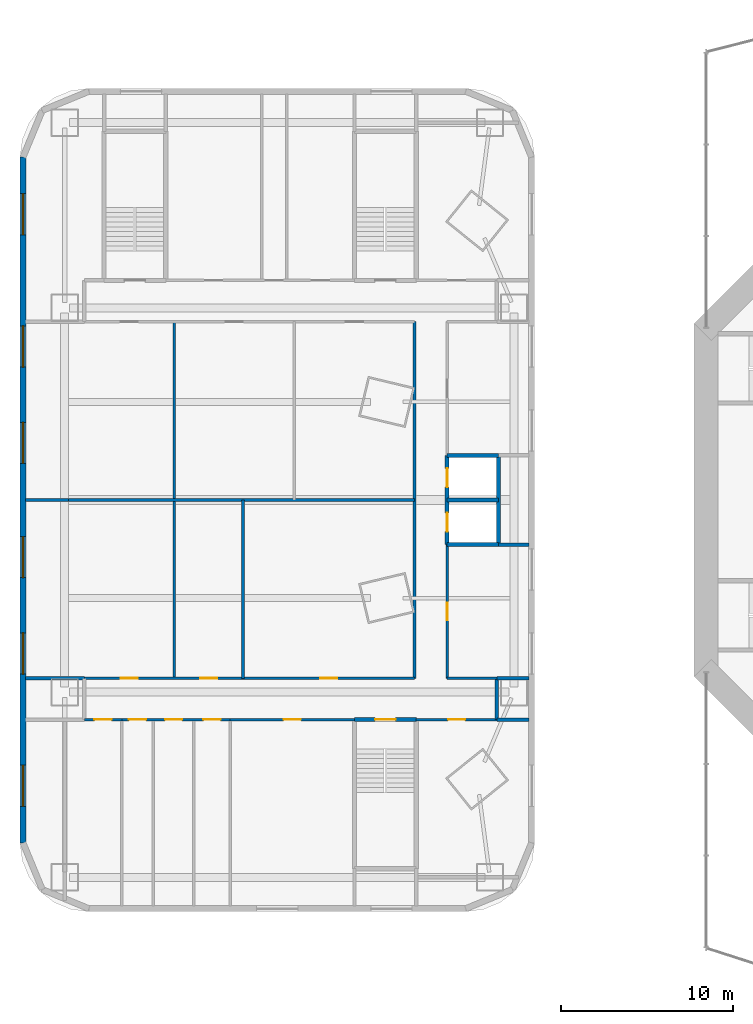
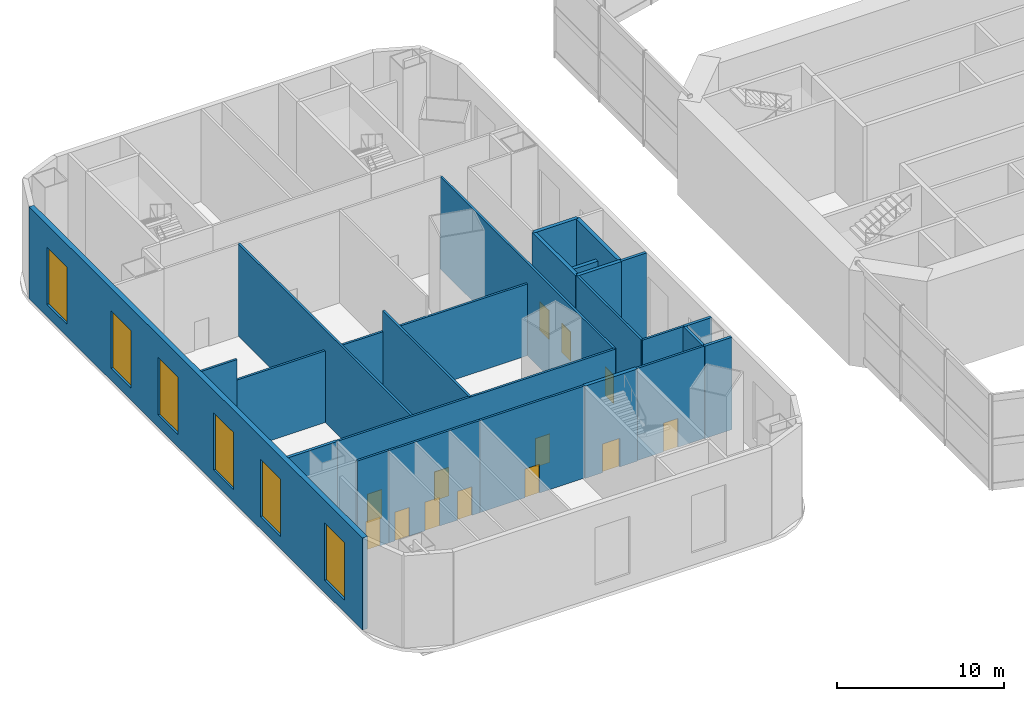
# One storey, part 10 of 19: 24 walls, 13 doors, 6 windows, 19 openings.
"""IFC4 building model written with IfcOpenShell, lengths in metres."""

from ifc_helpers import new_model, si_unit, direction, frame, frame_2d, origin, place, context, subcontext, project, spatial, rectangle, extrude, material, layer, layer_set, type_object, element, fill, save


model = new_model("IFC4")

# Units and contexts
model_context = context("Model", 3, precision=1e-05, world=origin(), true_north=direction((0.0, 1.0)))
body_context = subcontext(model_context, "Body", "Model", "MODEL_VIEW")
ifc_project = project(units=[si_unit("LENGTHUNIT", "METRE"), si_unit("AREAUNIT", "SQUARE_METRE"), si_unit("VOLUMEUNIT", "CUBIC_METRE"), si_unit("PLANEANGLEUNIT", "RADIAN"), si_unit("MASSUNIT", "GRAM", prefix="KILO")], contexts=[model_context])

# Site, building, storey
site_placement = place(None, origin())
site = spatial("IfcSite", under=ifc_project, at=site_placement, CompositionType="ELEMENT")
building_placement = place(site_placement, origin())
building = spatial("IfcBuilding", under=site, at=building_placement, Name="Marenthal Gate Tower", CompositionType="ELEMENT")
storey_placement = place(building_placement, frame((0.0, 0.0, 12.0)))
storey = spatial("IfcBuildingStorey", under=building, at=storey_placement, Name="L01", CompositionType="ELEMENT", Elevation=12.0)

# Walls
ifc_material_1 = material(Name="Concrete 40 MPa", Category="concrete")
ifc_layer_1 = layer(ifc_material_1, 0.25)
ifc_layer_set_1 = layer_set([ifc_layer_1], Name="Hoistway wall 250")
wall_type_1 = type_object("IfcWallType", Name="Hoistway wall 250", PredefinedType="STANDARD", material=ifc_layer_set_1)
wall_1_placement = place(storey_placement, frame((-31.10009765625, -2.60009765625, 0.0), z_axis=(0.0, 0.0, 1.0), x_axis=(1.0, 0.0, 0.0)))
element("IfcWall", 1, at=wall_1_placement, inside=storey, type_object=wall_type_1, Name="Hoistway wall 36", PredefinedType="STANDARD", context=body_context, shape_type="SweptSolid", body=[
    extrude(rectangle(XDim=3.0, YDim=0.25, at=frame_2d((1.5, 0.0))), origin(), (0.0, 0.0, 1.0), 6.75),
])
wall_2_placement = place(storey_placement, frame((-31.10009765625, 0.0, 0.0), z_axis=(0.0, 0.0, 1.0), x_axis=(1.0, 0.0, 0.0)))
element("IfcWall", 2, at=wall_2_placement, inside=storey, type_object=wall_type_1, Name="Hoistway wall 38", PredefinedType="STANDARD", context=body_context, shape_type="SweptSolid", body=[
    extrude(rectangle(XDim=3.0, YDim=0.25, at=frame_2d((1.5, 0.0))), origin(), (0.0, 0.0, 1.0), 5.25),
])
wall_3_placement = place(storey_placement, frame((-31.10009765625, 2.60009765625, 0.0), z_axis=(0.0, 0.0, 1.0), x_axis=(1.0, 0.0, 0.0)))
element("IfcWall", 3, at=wall_3_placement, inside=storey, type_object=wall_type_1, Name="Hoistway wall 40", PredefinedType="STANDARD", context=body_context, shape_type="SweptSolid", body=[
    extrude(rectangle(XDim=3.0, YDim=0.25, at=frame_2d((1.5, 0.0))), origin(), (0.0, 0.0, 1.0), 6.75),
])
wall_4_placement = place(storey_placement, frame((-28.10009765625, -2.60009765625, 0.0), z_axis=(0.0, 0.0, 1.0), x_axis=(0.0, 1.0, 0.0)))
element("IfcWall", 4, at=wall_4_placement, inside=storey, type_object=wall_type_1, Name="Hoistway wall 44", PredefinedType="STANDARD", context=body_context, shape_type="SweptSolid", body=[
    extrude(rectangle(XDim=5.2001953125, YDim=0.25, at=frame_2d((2.60009765625, 0.0))), origin(), (0.0, 0.0, 1.0), 6.75),
])

# Wall, openings, doors
wall_5_placement = place(storey_placement, frame((-31.10009765625, -2.60009765625, 0.0), z_axis=(0.0, 0.0, 1.0), x_axis=(0.0, 1.0, 0.0)))
wall_5 = element("IfcWall", 5, at=wall_5_placement, inside=storey, type_object=wall_type_1, Name="Hoistway wall 45", PredefinedType="STANDARD", context=body_context, shape_type="SweptSolid", body=[
    extrude(rectangle(XDim=5.2001953125, YDim=0.25, at=frame_2d((2.60009765625, 0.0))), origin(), (0.0, 0.0, 1.0), 6.75),
])
opening_1_placement = place(wall_5_placement, frame((0.75, 0.0, 0.0)))
opening_1 = element("IfcOpeningElement", 6, at=opening_1_placement, cuts=wall_5, Name="Opening LD.03", PredefinedType="OPENING", context=body_context, shape_type="SweptSolid", body=[
    extrude(rectangle(XDim=1.10009765625, YDim=2.10009765625, at=frame_2d((0.550048828125, 1.050048828125))), frame((0.0, 0.135009765625, 0.0), z_axis=(0.0, -1.0, 0.0), x_axis=(1.0, 0.0, 0.0)), (0.0, 0.0, 1.0), 0.27001953125),
])
opening_2_placement = place(wall_5_placement, frame((3.35009765625, 0.0, 0.0)))
opening_2 = element("IfcOpeningElement", 7, at=opening_2_placement, cuts=wall_5, Name="Opening LD.04", PredefinedType="OPENING", context=body_context, shape_type="SweptSolid", body=[
    extrude(rectangle(XDim=1.10009765625, YDim=2.10009765625, at=frame_2d((0.550048828125, 1.050048828125))), frame((0.0, 0.135009765625, 0.0), z_axis=(0.0, -1.0, 0.0), x_axis=(1.0, 0.0, 0.0)), (0.0, 0.0, 1.0), 0.27001953125),
])
ifc_material_2 = material(Name="Stainless steel sliding door", Category="steel")
door_type_1 = type_object("IfcDoorType", Name="Lift landing door FD 90 1100 x 2100", OperationType="DOUBLE_DOOR_SLIDING", PredefinedType="DOOR", material=ifc_material_2)
door_1_placement = place(opening_1_placement, origin())
door_1 = element("IfcDoor", 8, at=door_1_placement, inside=storey, type_object=door_type_1, Name="Lift landing door 03", OperationType="DOUBLE_DOOR_SLIDING", OverallHeight=2.10009765625, OverallWidth=1.10009765625, PredefinedType="DOOR", context=body_context, shape_type="SweptSolid", body=[
    extrude(rectangle(XDim=1.10009765625, YDim=2.10009765625, at=frame_2d((0.550048828125, 1.050048828125))), frame((0.0, 0.02490234375, 0.0), z_axis=(0.0, -1.0, 0.0), x_axis=(1.0, 0.0, 0.0)), (0.0, 0.0, 1.0), 0.050048828125),
])
fill(opening_1, door_1)
door_2_placement = place(opening_2_placement, origin())
door_2 = element("IfcDoor", 9, at=door_2_placement, inside=storey, type_object=door_type_1, Name="Lift landing door 04", OperationType="DOUBLE_DOOR_SLIDING", OverallHeight=2.10009765625, OverallWidth=1.10009765625, PredefinedType="DOOR", context=body_context, shape_type="SweptSolid", body=[
    extrude(rectangle(XDim=1.10009765625, YDim=2.10009765625, at=frame_2d((0.550048828125, 1.050048828125))), frame((0.0, 0.02490234375, 0.0), z_axis=(0.0, -1.0, 0.0), x_axis=(1.0, 0.0, 0.0)), (0.0, 0.0, 1.0), 0.050048828125),
])
fill(opening_2, door_2)

# Wall, opening, door
ifc_material_3 = material(Name="Gypsum board on steel studs", Category="steel")
ifc_layer_2 = layer(ifc_material_3, 0.14990234375)
ifc_layer_set_2 = layer_set([ifc_layer_2], Name="Partition 150")
wall_type_2 = type_object("IfcWallType", Name="Partition 150", PredefinedType="PARTITIONING", material=ifc_layer_set_2)
wall_6_placement = place(storey_placement, frame((-52.25, -12.800048828125, 0.0), z_axis=(0.0, 0.0, 1.0), x_axis=(1.0, 0.0, 0.0)))
wall_6 = element("IfcWall", 10, at=wall_6_placement, inside=storey, type_object=wall_type_2, Name="Partition wall 46", PredefinedType="PARTITIONING", context=body_context, shape_type="SweptSolid", body=[
    extrude(rectangle(XDim=2.18505859375, YDim=0.14990234375, at=frame_2d((1.092529296875, 0.0))), origin(), (0.0, 0.0, 1.0), 6.75),
])
opening_3_placement = place(wall_6_placement, frame((0.58740234375, 0.0, 0.0)))
opening_3 = element("IfcOpeningElement", 11, at=opening_3_placement, cuts=wall_6, Name="Opening D012.32", PredefinedType="OPENING", context=body_context, shape_type="SweptSolid", body=[
    extrude(rectangle(XDim=1.0, YDim=2.10009765625, at=frame_2d((0.5, 1.050048828125))), frame((0.0, 0.0849609375, 0.0), z_axis=(0.0, -1.0, 0.0), x_axis=(1.0, 0.0, 0.0)), (0.0, 0.0, 1.0), 0.169921875),
])
ifc_material_4 = material(Name="Timber door", Category="wood")
door_type_2 = type_object("IfcDoorType", Name="Door 1000 x 2100", OperationType="NOTDEFINED", PredefinedType="DOOR", material=ifc_material_4)
door_3_placement = place(opening_3_placement, frame((1.0, 0.0, 0.0), z_axis=(0.0, 0.0, 1.0), x_axis=(-1.0, 0.0, 0.0)))
door_3 = element("IfcDoor", 12, at=door_3_placement, inside=storey, type_object=door_type_2, Name="Door D012.32", OperationType="SINGLE_SWING_LEFT", OverallHeight=2.10009765625, OverallWidth=1.0, PredefinedType="DOOR", context=body_context, shape_type="SweptSolid", body=[
    extrude(rectangle(XDim=1.0, YDim=2.10009765625, at=frame_2d((0.5, 1.050048828125))), frame((0.0, 0.02490234375, 0.0), z_axis=(0.0, -1.0, 0.0), x_axis=(1.0, 0.0, 0.0)), (0.0, 0.0, 1.0), 0.050048828125),
])
fill(opening_3, door_3)

wall_7_placement = place(storey_placement, frame((-43.7548828125, -12.800048828125, 0.0), z_axis=(0.0, 0.0, 1.0), x_axis=(1.0, 0.0, 0.0)))
wall_7 = element("IfcWall", 13, at=wall_7_placement, inside=storey, type_object=wall_type_2, Name="Partition wall 47", PredefinedType="PARTITIONING", context=body_context, shape_type="SweptSolid", body=[
    extrude(rectangle(XDim=7.259765625, YDim=0.14990234375, at=frame_2d((3.6298828125, 0.0))), origin(), (0.0, 0.0, 1.0), 6.75),
])
opening_4_placement = place(wall_7_placement, frame((3.1298828125, 0.0, 0.0)))
opening_4 = element("IfcOpeningElement", 14, at=opening_4_placement, cuts=wall_7, Name="Opening D012.28", PredefinedType="OPENING", context=body_context, shape_type="SweptSolid", body=[
    extrude(rectangle(XDim=1.0, YDim=2.10009765625, at=frame_2d((0.5, 1.050048828125))), frame((0.0, 0.0849609375, 0.0), z_axis=(0.0, -1.0, 0.0), x_axis=(1.0, 0.0, 0.0)), (0.0, 0.0, 1.0), 0.169921875),
])
door_4_placement = place(opening_4_placement, frame((1.0, 0.0, 0.0), z_axis=(0.0, 0.0, 1.0), x_axis=(-1.0, 0.0, 0.0)))
door_4 = element("IfcDoor", 15, at=door_4_placement, inside=storey, type_object=door_type_2, Name="Door D012.28", OperationType="SINGLE_SWING_LEFT", OverallHeight=2.10009765625, OverallWidth=1.0, PredefinedType="DOOR", context=body_context, shape_type="SweptSolid", body=[
    extrude(rectangle(XDim=1.0, YDim=2.10009765625, at=frame_2d((0.5, 1.050048828125))), frame((0.0, 0.02490234375, 0.0), z_axis=(0.0, -1.0, 0.0), x_axis=(1.0, 0.0, 0.0)), (0.0, 0.0, 1.0), 0.050048828125),
])
fill(opening_4, door_4)

wall_8_placement = place(storey_placement, frame((-32.905029296875, -12.800048828125, 0.0), z_axis=(0.0, 0.0, 1.0), x_axis=(1.0, 0.0, 0.0)))
wall_8 = element("IfcWall", 16, at=wall_8_placement, inside=storey, type_object=wall_type_2, Name="Partition wall 48", PredefinedType="PARTITIONING", context=body_context, shape_type="SweptSolid", body=[
    extrude(rectangle(XDim=4.705078125, YDim=0.14990234375, at=frame_2d((2.3525390625, 0.0))), origin(), (0.0, 0.0, 1.0), 6.75),
])
opening_5_placement = place(wall_8_placement, frame((1.857421875, 0.0, 0.0)))
opening_5 = element("IfcOpeningElement", 17, at=opening_5_placement, cuts=wall_8, Name="Opening D012.36", PredefinedType="OPENING", context=body_context, shape_type="SweptSolid", body=[
    extrude(rectangle(XDim=1.0, YDim=2.10009765625, at=frame_2d((0.5, 1.050048828125))), frame((0.0, 0.0849609375, 0.0), z_axis=(0.0, -1.0, 0.0), x_axis=(1.0, 0.0, 0.0)), (0.0, 0.0, 1.0), 0.169921875),
])
door_5_placement = place(opening_5_placement, frame((1.0, 0.0, 0.0), z_axis=(0.0, 0.0, 1.0), x_axis=(-1.0, 0.0, 0.0)))
door_5 = element("IfcDoor", 18, at=door_5_placement, inside=storey, type_object=door_type_2, Name="Door D012.36", OperationType="SINGLE_SWING_LEFT", OverallHeight=2.10009765625, OverallWidth=1.0, PredefinedType="DOOR", context=body_context, shape_type="SweptSolid", body=[
    extrude(rectangle(XDim=1.0, YDim=2.10009765625, at=frame_2d((0.5, 1.050048828125))), frame((0.0, 0.02490234375, 0.0), z_axis=(0.0, -1.0, 0.0), x_axis=(1.0, 0.0, 0.0)), (0.0, 0.0, 1.0), 0.050048828125),
])
fill(opening_5, door_5)

# Wall, openings, doors
wall_9_placement = place(storey_placement, frame((-52.25, -10.39990234375, 0.0), z_axis=(0.0, 0.0, 1.0), x_axis=(1.0, 0.0, 0.0)))
wall_9 = element("IfcWall", 19, at=wall_9_placement, inside=storey, type_object=wall_type_2, Name="Partition wall 52", PredefinedType="PARTITIONING", context=body_context, shape_type="SweptSolid", body=[
    extrude(rectangle(XDim=19.2548828125, YDim=0.14990234375, at=frame_2d((9.62744140625, 0.0))), origin(), (0.0, 0.0, 1.0), 6.75),
])
opening_6_placement = place(wall_9_placement, frame((13.75, 0.0, 0.0)))
opening_6 = element("IfcOpeningElement", 20, at=opening_6_placement, cuts=wall_9, Name="Opening D012.25", PredefinedType="OPENING", context=body_context, shape_type="SweptSolid", body=[
    extrude(rectangle(XDim=1.0, YDim=2.10009765625, at=frame_2d((0.5, 1.050048828125))), frame((0.0, 0.0849609375, 0.0), z_axis=(0.0, -1.0, 0.0), x_axis=(1.0, 0.0, 0.0)), (0.0, 0.0, 1.0), 0.169921875),
])
opening_7_placement = place(wall_9_placement, frame((6.75, 0.0, 0.0)))
opening_7 = element("IfcOpeningElement", 21, at=opening_7_placement, cuts=wall_9, Name="Opening D012.26", PredefinedType="OPENING", context=body_context, shape_type="SweptSolid", body=[
    extrude(rectangle(XDim=1.0, YDim=2.10009765625, at=frame_2d((0.5, 1.050048828125))), frame((0.0, 0.0849609375, 0.0), z_axis=(0.0, -1.0, 0.0), x_axis=(1.0, 0.0, 0.0)), (0.0, 0.0, 1.0), 0.169921875),
])
opening_8_placement = place(wall_9_placement, frame((2.12255859375, 0.0, 0.0)))
opening_8 = element("IfcOpeningElement", 22, at=opening_8_placement, cuts=wall_9, Name="Opening D012.27", PredefinedType="OPENING", context=body_context, shape_type="SweptSolid", body=[
    extrude(rectangle(XDim=1.0, YDim=2.10009765625, at=frame_2d((0.5, 1.050048828125))), frame((0.0, 0.0849609375, 0.0), z_axis=(0.0, -1.0, 0.0), x_axis=(1.0, 0.0, 0.0)), (0.0, 0.0, 1.0), 0.169921875),
])
door_6_placement = place(opening_6_placement, origin())
door_6 = element("IfcDoor", 23, at=door_6_placement, inside=storey, type_object=door_type_2, Name="Door D012.25", OperationType="SINGLE_SWING_RIGHT", OverallHeight=2.10009765625, OverallWidth=1.0, PredefinedType="DOOR", context=body_context, shape_type="SweptSolid", body=[
    extrude(rectangle(XDim=1.0, YDim=2.10009765625, at=frame_2d((0.5, 1.050048828125))), frame((0.0, 0.02490234375, 0.0), z_axis=(0.0, -1.0, 0.0), x_axis=(1.0, 0.0, 0.0)), (0.0, 0.0, 1.0), 0.050048828125),
])
fill(opening_6, door_6)
door_7_placement = place(opening_7_placement, origin())
door_7 = element("IfcDoor", 24, at=door_7_placement, inside=storey, type_object=door_type_2, Name="Door D012.26", OperationType="SINGLE_SWING_RIGHT", OverallHeight=2.10009765625, OverallWidth=1.0, PredefinedType="DOOR", context=body_context, shape_type="SweptSolid", body=[
    extrude(rectangle(XDim=1.0, YDim=2.10009765625, at=frame_2d((0.5, 1.050048828125))), frame((0.0, 0.02490234375, 0.0), z_axis=(0.0, -1.0, 0.0), x_axis=(1.0, 0.0, 0.0)), (0.0, 0.0, 1.0), 0.050048828125),
])
fill(opening_7, door_7)
door_8_placement = place(opening_8_placement, origin())
door_8 = element("IfcDoor", 25, at=door_8_placement, inside=storey, type_object=door_type_2, Name="Door D012.27", OperationType="SINGLE_SWING_RIGHT", OverallHeight=2.10009765625, OverallWidth=1.0, PredefinedType="DOOR", context=body_context, shape_type="SweptSolid", body=[
    extrude(rectangle(XDim=1.0, YDim=2.10009765625, at=frame_2d((0.5, 1.050048828125))), frame((0.0, 0.02490234375, 0.0), z_axis=(0.0, -1.0, 0.0), x_axis=(1.0, 0.0, 0.0)), (0.0, 0.0, 1.0), 0.050048828125),
])
fill(opening_8, door_8)

# Walls
wall_10_placement = place(storey_placement, frame((-31.10498046875, -10.39990234375, 0.0), z_axis=(0.0, 0.0, 1.0), x_axis=(1.0, 0.0, 0.0)))
element("IfcWall", 26, at=wall_10_placement, inside=storey, type_object=wall_type_2, Name="Partition wall 53", PredefinedType="PARTITIONING", context=body_context, shape_type="SweptSolid", body=[
    extrude(rectangle(XDim=2.905029296875, YDim=0.14990234375, at=frame_2d((1.45263671875, 0.0))), origin(), (0.0, 0.0, 1.0), 6.75),
])
wall_11_placement = place(storey_placement, frame((-55.669921875, 0.0, 0.0), z_axis=(0.0, 0.0, 1.0), x_axis=(1.0, 0.0, 0.0)))
element("IfcWall", 27, at=wall_11_placement, inside=storey, type_object=wall_type_2, Name="Partition wall 56", PredefinedType="PARTITIONING", context=body_context, shape_type="SweptSolid", body=[
    extrude(rectangle(XDim=2.494873046875, YDim=0.14990234375, at=frame_2d((1.24755859375, 0.0))), origin(), (0.0, 0.0, 1.0), 6.75),
])
wall_12_placement = place(storey_placement, frame((-53.175048828125, 0.0, 0.0), z_axis=(0.0, 0.0, 1.0), x_axis=(1.0, 0.0, 0.0)))
element("IfcWall", 28, at=wall_12_placement, inside=storey, type_object=wall_type_2, Name="Partition wall 163", PredefinedType="PARTITIONING", context=body_context, shape_type="SweptSolid", body=[
    extrude(rectangle(XDim=20.175048828125, YDim=0.14990234375, at=frame_2d((10.08740234375, 0.0))), origin(), (0.0, 0.0, 1.0), 5.25),
])

# Wall, opening, door
wall_13_placement = place(storey_placement, frame((-31.10009765625, -10.39990234375, 0.0), z_axis=(0.0, 0.0, 1.0), x_axis=(0.0, 1.0, 0.0)))
wall_13 = element("IfcWall", 29, at=wall_13_placement, inside=storey, type_object=wall_type_2, Name="Partition wall 75", PredefinedType="PARTITIONING", context=body_context, shape_type="SweptSolid", body=[
    extrude(rectangle(XDim=7.804931640625, YDim=0.14990234375, at=frame_2d((3.90234375, 0.0))), origin(), (0.0, 0.0, 1.0), 6.75),
])
opening_9_placement = place(wall_13_placement, frame((3.39990234375, 0.0, 0.0)))
opening_9 = element("IfcOpeningElement", 30, at=opening_9_placement, cuts=wall_13, Name="Opening D012.34", PredefinedType="OPENING", context=body_context, shape_type="SweptSolid", body=[
    extrude(rectangle(XDim=1.0, YDim=2.10009765625, at=frame_2d((0.5, 1.050048828125))), frame((0.0, 0.0849609375, 0.0), z_axis=(0.0, -1.0, 0.0), x_axis=(1.0, 0.0, 0.0)), (0.0, 0.0, 1.0), 0.169921875),
])
door_9_placement = place(opening_9_placement, frame((1.0, 0.0, 0.0), z_axis=(0.0, 0.0, 1.0), x_axis=(-1.0, 0.0, 0.0)))
door_9 = element("IfcDoor", 31, at=door_9_placement, inside=storey, type_object=door_type_2, Name="Door D012.34", OperationType="SINGLE_SWING_LEFT", OverallHeight=2.10009765625, OverallWidth=1.0, PredefinedType="DOOR", context=body_context, shape_type="SweptSolid", body=[
    extrude(rectangle(XDim=1.0, YDim=2.10009765625, at=frame_2d((0.5, 1.050048828125))), frame((0.0, 0.02490234375, 0.0), z_axis=(0.0, -1.0, 0.0), x_axis=(1.0, 0.0, 0.0)), (0.0, 0.0, 1.0), 0.050048828125),
])
fill(opening_9, door_9)

# Walls
wall_14_placement = place(storey_placement, frame((-33.0, -10.39990234375, 0.0), z_axis=(0.0, 0.0, 1.0), x_axis=(0.0, 1.0, 0.0)))
element("IfcWall", 32, at=wall_14_placement, inside=storey, type_object=wall_type_2, Name="Partition wall 77", PredefinedType="PARTITIONING", context=body_context, shape_type="SweptSolid", body=[
    extrude(rectangle(XDim=20.7998046875, YDim=0.14990234375, at=frame_2d((10.39990234375, 0.0))), origin(), (0.0, 0.0, 1.0), 6.75),
])
wall_15_placement = place(storey_placement, frame((-43.0, -10.39990234375, 0.0), z_axis=(0.0, 0.0, 1.0), x_axis=(0.0, 1.0, 0.0)))
element("IfcWall", 33, at=wall_15_placement, inside=storey, type_object=wall_type_2, Name="Partition wall 81", PredefinedType="PARTITIONING", context=body_context, shape_type="SweptSolid", body=[
    extrude(rectangle(XDim=10.39990234375, YDim=0.14990234375, at=frame_2d((5.199951171875, 0.0))), origin(), (0.0, 0.0, 1.0), 6.75),
])
wall_16_placement = place(storey_placement, frame((-47.0, -10.39990234375, 0.0), z_axis=(0.0, 0.0, 1.0), x_axis=(0.0, 1.0, 0.0)))
element("IfcWall", 34, at=wall_16_placement, inside=storey, type_object=wall_type_2, Name="Partition wall 82", PredefinedType="PARTITIONING", context=body_context, shape_type="SweptSolid", body=[
    extrude(rectangle(XDim=20.7998046875, YDim=0.14990234375, at=frame_2d((10.39990234375, 0.0))), origin(), (0.0, 0.0, 1.0), 6.75),
])
ifc_material_5 = material(Name="Gypsum board on steel studs", Category="steel")
ifc_layer_3 = layer(ifc_material_5, 0.199951171875)
ifc_layer_set_3 = layer_set([ifc_layer_3], Name="Partition 200")
wall_type_3 = type_object("IfcWallType", Name="Partition 200", PredefinedType="PARTITIONING", material=ifc_layer_set_3)
wall_17_placement = place(storey_placement, frame((-28.203857421875, -12.800048828125, 0.0), z_axis=(0.0, 0.0, 1.0), x_axis=(1.0, 0.0, 0.0)))
element("IfcWall", 35, at=wall_17_placement, inside=storey, type_object=wall_type_3, Name="Partition wall 86", PredefinedType="PARTITIONING", context=body_context, shape_type="SweptSolid", body=[
    extrude(rectangle(XDim=1.873779296875, YDim=0.199951171875, at=frame_2d((0.93701171875, 0.0))), origin(), (0.0, 0.0, 1.0), 6.75),
])
wall_18_placement = place(storey_placement, frame((-55.669921875, -10.39990234375, 0.0), z_axis=(0.0, 0.0, 1.0), x_axis=(1.0, 0.0, 0.0)))
element("IfcWall", 36, at=wall_18_placement, inside=storey, type_object=wall_type_3, Name="Partition wall 89", PredefinedType="PARTITIONING", context=body_context, shape_type="SweptSolid", body=[
    extrude(rectangle(XDim=3.4248046875, YDim=0.199951171875, at=frame_2d((1.71240234375, 0.0))), origin(), (0.0, 0.0, 1.0), 6.75),
])
wall_19_placement = place(storey_placement, frame((-28.203857421875, -10.39990234375, 0.0), z_axis=(0.0, 0.0, 1.0), x_axis=(1.0, 0.0, 0.0)))
element("IfcWall", 37, at=wall_19_placement, inside=storey, type_object=wall_type_3, Name="Partition wall 90", PredefinedType="PARTITIONING", context=body_context, shape_type="SweptSolid", body=[
    extrude(rectangle(XDim=1.873779296875, YDim=0.199951171875, at=frame_2d((0.93701171875, 0.0))), origin(), (0.0, 0.0, 1.0), 6.75),
])
wall_20_placement = place(storey_placement, frame((-28.10009765625, -2.60009765625, 0.0), z_axis=(0.0, 0.0, 1.0), x_axis=(1.0, 0.0, 0.0)))
element("IfcWall", 38, at=wall_20_placement, inside=storey, type_object=wall_type_3, Name="Partition wall 93", PredefinedType="PARTITIONING", context=body_context, shape_type="SweptSolid", body=[
    extrude(rectangle(XDim=1.77001953125, YDim=0.199951171875, at=frame_2d((0.885009765625, 0.0))), origin(), (0.0, 0.0, 1.0), 6.75),
])
wall_21_placement = place(storey_placement, frame((-28.199951171875, -12.800048828125, 0.0), z_axis=(0.0, 0.0, 1.0), x_axis=(0.0, 1.0, 0.0)))
element("IfcWall", 39, at=wall_21_placement, inside=storey, type_object=wall_type_3, Name="Partition wall 18", PredefinedType="PARTITIONING", context=body_context, shape_type="SweptSolid", body=[
    extrude(rectangle(XDim=2.400146484375, YDim=0.199951171875, at=frame_2d((1.2001953125, 0.0))), origin(), (0.0, 0.0, 1.0), 6.75),
])

# Wall, opening, door
ifc_material_6 = material(Name="Concrete 50 MPa", Category="concrete")
ifc_layer_4 = layer(ifc_material_6, 0.25)
ifc_layer_set_4 = layer_set([ifc_layer_4], Name="Stair shear wall 250")
wall_type_4 = type_object("IfcWallType", Name="Stair shear wall 250", PredefinedType="SHEAR", material=ifc_layer_set_4)
wall_22_placement = place(storey_placement, frame((-36.5048828125, -12.800048828125, 0.0), z_axis=(0.0, 0.0, 1.0), x_axis=(1.0, 0.0, 0.0)))
wall_22 = element("IfcWall", 40, at=wall_22_placement, inside=storey, type_object=wall_type_4, Name="Stair wall 31", PredefinedType="SHEAR", context=body_context, shape_type="SweptSolid", body=[
    extrude(rectangle(XDim=3.60986328125, YDim=0.25, at=frame_2d((1.804931640625, 0.0))), origin(), (0.0, 0.0, 1.0), 6.75),
])
opening_10_placement = place(wall_22_placement, frame((1.205078125, 0.0, 0.0)))
opening_10 = element("IfcOpeningElement", 41, at=opening_10_placement, cuts=wall_22, Name="Opening D001.06", PredefinedType="OPENING", context=body_context, shape_type="SweptSolid", body=[
    extrude(rectangle(XDim=1.199951171875, YDim=2.10009765625, at=frame_2d((0.60009765625, 1.050048828125))), frame((0.0, 0.135009765625, 0.0), z_axis=(0.0, -1.0, 0.0), x_axis=(1.0, 0.0, 0.0)), (0.0, 0.0, 1.0), 0.27001953125),
])
ifc_material_7 = material(Name="Steel fire door", Category="steel")
door_type_3 = type_object("IfcDoorType", Name="Fire door FD 90 1200 x 2100", OperationType="NOTDEFINED", PredefinedType="DOOR", material=ifc_material_7)
door_10_placement = place(opening_10_placement, frame((1.199951171875, 0.0, 0.0), z_axis=(0.0, 0.0, 1.0), x_axis=(-1.0, 0.0, 0.0)))
door_10 = element("IfcDoor", 42, at=door_10_placement, inside=storey, type_object=door_type_3, Name="Door D001.06", OperationType="SINGLE_SWING_LEFT", OverallHeight=2.10009765625, OverallWidth=1.199951171875, PredefinedType="DOOR", context=body_context, shape_type="SweptSolid", body=[
    extrude(rectangle(XDim=1.199951171875, YDim=2.10009765625, at=frame_2d((0.60009765625, 1.050048828125))), frame((0.0, 0.02490234375, 0.0), z_axis=(0.0, -1.0, 0.0), x_axis=(1.0, 0.0, 0.0)), (0.0, 0.0, 1.0), 0.050048828125),
])
fill(opening_10, door_10)

# Wall, openings, windows
ifc_material_8 = material(Name="Terracotta cladding on insulated concrete-block backing", Category="masonry")
ifc_layer_5 = layer(ifc_material_8, 0.35009765625)
ifc_layer_set_5 = layer_set([ifc_layer_5], Name="Terracotta cladding wall 350")
wall_type_5 = type_object("IfcWallType", Name="Terracotta cladding wall 350", PredefinedType="SOLIDWALL", material=ifc_layer_set_5)
wall_23_placement = place(storey_placement, frame((-55.824951171875, 19.988525390625, 0.0), z_axis=(0.0, 0.0, 1.0), x_axis=(0.0, -1.0, 0.0)))
wall_23 = element("IfcWall", 43, at=wall_23_placement, inside=storey, type_object=wall_type_5, Name="Terracotta cladding wall L01 W9", PredefinedType="SOLIDWALL", context=body_context, shape_type="SweptSolid", body=[
    extrude(rectangle(XDim=39.97705078125, YDim=0.35009765625, at=frame_2d((19.988525390625, 0.0))), origin(), (0.0, 0.0, 1.0), 6.75),
])
opening_11_placement = place(wall_23_placement, frame((2.13134765625, 0.0, 0.89990234375)))
opening_11 = element("IfcOpeningElement", 44, at=opening_11_placement, cuts=wall_23, Name="Opening WN4-L01-57", PredefinedType="OPENING", context=body_context, shape_type="SweptSolid", body=[
    extrude(rectangle(XDim=2.39990234375, YDim=4.199951171875, at=frame_2d((1.199951171875, 2.10009765625))), frame((0.0, 0.18505859375, 0.0), z_axis=(0.0, -1.0, 0.0), x_axis=(1.0, 0.0, 0.0)), (0.0, 0.0, 1.0), 0.3701171875),
])
opening_12_placement = place(wall_23_placement, frame((9.83837890625, 0.0, 0.89990234375)))
opening_12 = element("IfcOpeningElement", 45, at=opening_12_placement, cuts=wall_23, Name="Opening WN4-L01-58", PredefinedType="OPENING", context=body_context, shape_type="SweptSolid", body=[
    extrude(rectangle(XDim=2.39990234375, YDim=4.199951171875, at=frame_2d((1.199951171875, 2.10009765625))), frame((0.0, 0.18505859375, 0.0), z_axis=(0.0, -1.0, 0.0), x_axis=(1.0, 0.0, 0.0)), (0.0, 0.0, 1.0), 0.3701171875),
])
opening_13_placement = place(wall_23_placement, frame((15.45703125, 0.0, 0.89990234375)))
opening_13 = element("IfcOpeningElement", 46, at=opening_13_placement, cuts=wall_23, Name="Opening WN4-L01-59", PredefinedType="OPENING", context=body_context, shape_type="SweptSolid", body=[
    extrude(rectangle(XDim=2.39990234375, YDim=4.199951171875, at=frame_2d((1.199951171875, 2.10009765625))), frame((0.0, 0.18505859375, 0.0), z_axis=(0.0, -1.0, 0.0), x_axis=(1.0, 0.0, 0.0)), (0.0, 0.0, 1.0), 0.3701171875),
])
opening_14_placement = place(wall_23_placement, frame((22.119873046875, 0.0, 0.89990234375)))
opening_14 = element("IfcOpeningElement", 47, at=opening_14_placement, cuts=wall_23, Name="Opening WN4-L01-60", PredefinedType="OPENING", context=body_context, shape_type="SweptSolid", body=[
    extrude(rectangle(XDim=2.39990234375, YDim=4.199951171875, at=frame_2d((1.199951171875, 2.10009765625))), frame((0.0, 0.18505859375, 0.0), z_axis=(0.0, -1.0, 0.0), x_axis=(1.0, 0.0, 0.0)), (0.0, 0.0, 1.0), 0.3701171875),
])
opening_15_placement = place(wall_23_placement, frame((27.738525390625, 0.0, 0.89990234375)))
opening_15 = element("IfcOpeningElement", 48, at=opening_15_placement, cuts=wall_23, Name="Opening WN4-L01-61", PredefinedType="OPENING", context=body_context, shape_type="SweptSolid", body=[
    extrude(rectangle(XDim=2.39990234375, YDim=4.199951171875, at=frame_2d((1.199951171875, 2.10009765625))), frame((0.0, 0.18505859375, 0.0), z_axis=(0.0, -1.0, 0.0), x_axis=(1.0, 0.0, 0.0)), (0.0, 0.0, 1.0), 0.3701171875),
])
opening_16_placement = place(wall_23_placement, frame((35.445556640625, 0.0, 0.89990234375)))
opening_16 = element("IfcOpeningElement", 49, at=opening_16_placement, cuts=wall_23, Name="Opening WN4-L01-62", PredefinedType="OPENING", context=body_context, shape_type="SweptSolid", body=[
    extrude(rectangle(XDim=2.39990234375, YDim=4.199951171875, at=frame_2d((1.199951171875, 2.10009765625))), frame((0.0, 0.18505859375, 0.0), z_axis=(0.0, -1.0, 0.0), x_axis=(1.0, 0.0, 0.0)), (0.0, 0.0, 1.0), 0.3701171875),
])
ifc_material_9 = material(Name="Aluminium and laminated impact-rated glass", Category="aluminium")
window_type = type_object("IfcWindowType", Name="Window 2400x4200 impact-rated", PartitioningType="DOUBLE_PANEL_VERTICAL", PredefinedType="WINDOW", material=ifc_material_9)
window_1_placement = place(opening_11_placement, origin())
window_1 = element("IfcWindow", 50, at=window_1_placement, inside=storey, type_object=window_type, Name="Window L01 W9 1", OverallHeight=4.199951171875, OverallWidth=2.39990234375, PartitioningType="SINGLE_PANEL", PredefinedType="WINDOW", context=body_context, shape_type="SweptSolid", body=[
    extrude(rectangle(XDim=2.39990234375, YDim=4.199951171875, at=frame_2d((1.199951171875, 2.10009765625))), frame((0.0, 0.030029296875, 0.0), z_axis=(0.0, -1.0, 0.0), x_axis=(1.0, 0.0, 0.0)), (0.0, 0.0, 1.0), 0.06005859375),
])
fill(opening_11, window_1)
window_2_placement = place(opening_12_placement, origin())
window_2 = element("IfcWindow", 51, at=window_2_placement, inside=storey, type_object=window_type, Name="Window L01 W9 2", OverallHeight=4.199951171875, OverallWidth=2.39990234375, PartitioningType="SINGLE_PANEL", PredefinedType="WINDOW", context=body_context, shape_type="SweptSolid", body=[
    extrude(rectangle(XDim=2.39990234375, YDim=4.199951171875, at=frame_2d((1.199951171875, 2.10009765625))), frame((0.0, 0.030029296875, 0.0), z_axis=(0.0, -1.0, 0.0), x_axis=(1.0, 0.0, 0.0)), (0.0, 0.0, 1.0), 0.06005859375),
])
fill(opening_12, window_2)
window_3_placement = place(opening_13_placement, origin())
window_3 = element("IfcWindow", 52, at=window_3_placement, inside=storey, type_object=window_type, Name="Window L01 W9 3", OverallHeight=4.199951171875, OverallWidth=2.39990234375, PartitioningType="SINGLE_PANEL", PredefinedType="WINDOW", context=body_context, shape_type="SweptSolid", body=[
    extrude(rectangle(XDim=2.39990234375, YDim=4.199951171875, at=frame_2d((1.199951171875, 2.10009765625))), frame((0.0, 0.030029296875, 0.0), z_axis=(0.0, -1.0, 0.0), x_axis=(1.0, 0.0, 0.0)), (0.0, 0.0, 1.0), 0.06005859375),
])
fill(opening_13, window_3)
window_4_placement = place(opening_14_placement, origin())
window_4 = element("IfcWindow", 53, at=window_4_placement, inside=storey, type_object=window_type, Name="Window L01 W9 4", OverallHeight=4.199951171875, OverallWidth=2.39990234375, PartitioningType="SINGLE_PANEL", PredefinedType="WINDOW", context=body_context, shape_type="SweptSolid", body=[
    extrude(rectangle(XDim=2.39990234375, YDim=4.199951171875, at=frame_2d((1.199951171875, 2.10009765625))), frame((0.0, 0.030029296875, 0.0), z_axis=(0.0, -1.0, 0.0), x_axis=(1.0, 0.0, 0.0)), (0.0, 0.0, 1.0), 0.06005859375),
])
fill(opening_14, window_4)
window_5_placement = place(opening_15_placement, origin())
window_5 = element("IfcWindow", 54, at=window_5_placement, inside=storey, type_object=window_type, Name="Window L01 W9 5", OverallHeight=4.199951171875, OverallWidth=2.39990234375, PartitioningType="SINGLE_PANEL", PredefinedType="WINDOW", context=body_context, shape_type="SweptSolid", body=[
    extrude(rectangle(XDim=2.39990234375, YDim=4.199951171875, at=frame_2d((1.199951171875, 2.10009765625))), frame((0.0, 0.030029296875, 0.0), z_axis=(0.0, -1.0, 0.0), x_axis=(1.0, 0.0, 0.0)), (0.0, 0.0, 1.0), 0.06005859375),
])
fill(opening_15, window_5)
window_6_placement = place(opening_16_placement, origin())
window_6 = element("IfcWindow", 55, at=window_6_placement, inside=storey, type_object=window_type, Name="Window L01 W9 6", OverallHeight=4.199951171875, OverallWidth=2.39990234375, PartitioningType="SINGLE_PANEL", PredefinedType="WINDOW", context=body_context, shape_type="SweptSolid", body=[
    extrude(rectangle(XDim=2.39990234375, YDim=4.199951171875, at=frame_2d((1.199951171875, 2.10009765625))), frame((0.0, 0.030029296875, 0.0), z_axis=(0.0, -1.0, 0.0), x_axis=(1.0, 0.0, 0.0)), (0.0, 0.0, 1.0), 0.06005859375),
])
fill(opening_16, window_6)

# Wall, openings, doors
ifc_material_10 = material(Name="Gypsum board on steel studs", Category="steel")
ifc_layer_6 = layer(ifc_material_10, 0.14990234375)
ifc_layer_set_6 = layer_set([ifc_layer_6], Name="Wet room partition 150")
wall_type_6 = type_object("IfcWallType", Name="Wet room partition 150", PredefinedType="PARTITIONING", material=ifc_layer_set_6)
wall_24_placement = place(storey_placement, frame((-50.074951171875, -12.800048828125, 0.0), z_axis=(0.0, 0.0, 1.0), x_axis=(1.0, 0.0, 0.0)))
wall_24 = element("IfcWall", 56, at=wall_24_placement, inside=storey, type_object=wall_type_6, Name="Wet wall 53", PredefinedType="PARTITIONING", context=body_context, shape_type="SweptSolid", body=[
    extrude(rectangle(XDim=6.329833984375, YDim=0.14990234375, at=frame_2d((3.1650390625, 0.0))), origin(), (0.0, 0.0, 1.0), 6.75),
])
opening_17_placement = place(wall_24_placement, frame((4.77001953125, 0.0, 0.0)))
opening_17 = element("IfcOpeningElement", 57, at=opening_17_placement, cuts=wall_24, Name="Opening D012.29", PredefinedType="OPENING", context=body_context, shape_type="SweptSolid", body=[
    extrude(rectangle(XDim=1.0, YDim=2.10009765625, at=frame_2d((0.5, 1.050048828125))), frame((0.0, 0.0849609375, 0.0), z_axis=(0.0, -1.0, 0.0), x_axis=(1.0, 0.0, 0.0)), (0.0, 0.0, 1.0), 0.169921875),
])
opening_18_placement = place(wall_24_placement, frame((2.530029296875, 0.0, 0.0)))
opening_18 = element("IfcOpeningElement", 58, at=opening_18_placement, cuts=wall_24, Name="Opening D012.30", PredefinedType="OPENING", context=body_context, shape_type="SweptSolid", body=[
    extrude(rectangle(XDim=1.0, YDim=2.10009765625, at=frame_2d((0.5, 1.050048828125))), frame((0.0, 0.0849609375, 0.0), z_axis=(0.0, -1.0, 0.0), x_axis=(1.0, 0.0, 0.0)), (0.0, 0.0, 1.0), 0.169921875),
])
opening_19_placement = place(wall_24_placement, frame((0.425048828125, 0.0, 0.0)))
opening_19 = element("IfcOpeningElement", 59, at=opening_19_placement, cuts=wall_24, Name="Opening D012.31", PredefinedType="OPENING", context=body_context, shape_type="SweptSolid", body=[
    extrude(rectangle(XDim=1.0, YDim=2.10009765625, at=frame_2d((0.5, 1.050048828125))), frame((0.0, 0.0849609375, 0.0), z_axis=(0.0, -1.0, 0.0), x_axis=(1.0, 0.0, 0.0)), (0.0, 0.0, 1.0), 0.169921875),
])
door_11_placement = place(opening_17_placement, frame((1.0, 0.0, 0.0), z_axis=(0.0, 0.0, 1.0), x_axis=(-1.0, 0.0, 0.0)))
door_11 = element("IfcDoor", 60, at=door_11_placement, inside=storey, type_object=door_type_2, Name="Door D012.29", OperationType="SINGLE_SWING_LEFT", OverallHeight=2.10009765625, OverallWidth=1.0, PredefinedType="DOOR", context=body_context, shape_type="SweptSolid", body=[
    extrude(rectangle(XDim=1.0, YDim=2.10009765625, at=frame_2d((0.5, 1.050048828125))), frame((0.0, 0.02490234375, 0.0), z_axis=(0.0, -1.0, 0.0), x_axis=(1.0, 0.0, 0.0)), (0.0, 0.0, 1.0), 0.050048828125),
])
fill(opening_17, door_11)
door_12_placement = place(opening_18_placement, frame((1.0, 0.0, 0.0), z_axis=(0.0, 0.0, 1.0), x_axis=(-1.0, 0.0, 0.0)))
door_12 = element("IfcDoor", 61, at=door_12_placement, inside=storey, type_object=door_type_2, Name="Door D012.30", OperationType="SINGLE_SWING_LEFT", OverallHeight=2.10009765625, OverallWidth=1.0, PredefinedType="DOOR", context=body_context, shape_type="SweptSolid", body=[
    extrude(rectangle(XDim=1.0, YDim=2.10009765625, at=frame_2d((0.5, 1.050048828125))), frame((0.0, 0.02490234375, 0.0), z_axis=(0.0, -1.0, 0.0), x_axis=(1.0, 0.0, 0.0)), (0.0, 0.0, 1.0), 0.050048828125),
])
fill(opening_18, door_12)
door_13_placement = place(opening_19_placement, frame((1.0, 0.0, 0.0), z_axis=(0.0, 0.0, 1.0), x_axis=(-1.0, 0.0, 0.0)))
door_13 = element("IfcDoor", 62, at=door_13_placement, inside=storey, type_object=door_type_2, Name="Door D012.31", OperationType="SINGLE_SWING_LEFT", OverallHeight=2.10009765625, OverallWidth=1.0, PredefinedType="DOOR", context=body_context, shape_type="SweptSolid", body=[
    extrude(rectangle(XDim=1.0, YDim=2.10009765625, at=frame_2d((0.5, 1.050048828125))), frame((0.0, 0.02490234375, 0.0), z_axis=(0.0, -1.0, 0.0), x_axis=(1.0, 0.0, 0.0)), (0.0, 0.0, 1.0), 0.050048828125),
])
fill(opening_19, door_13)

save(model, "model.ifc")
